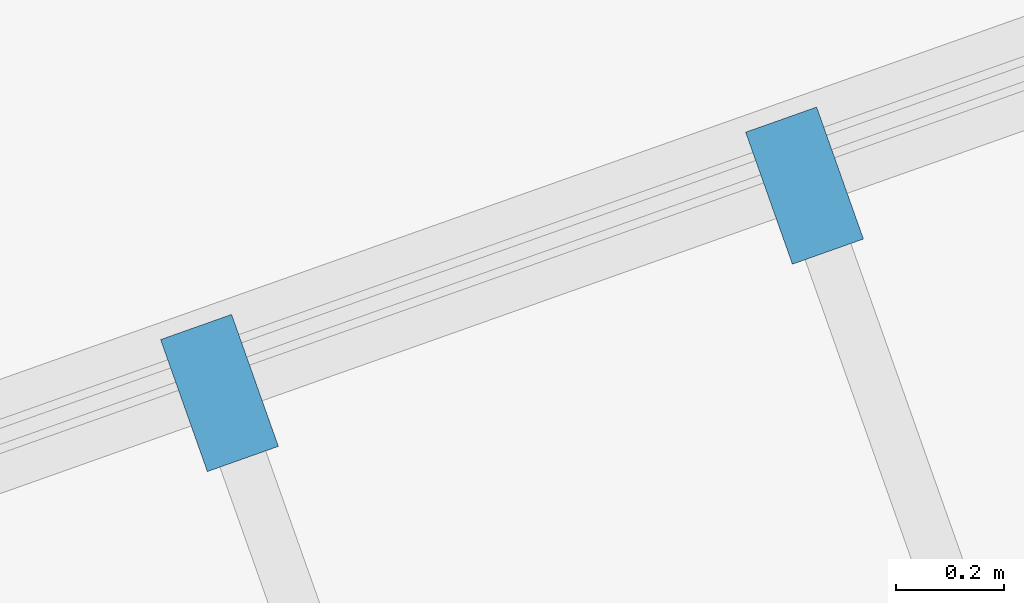
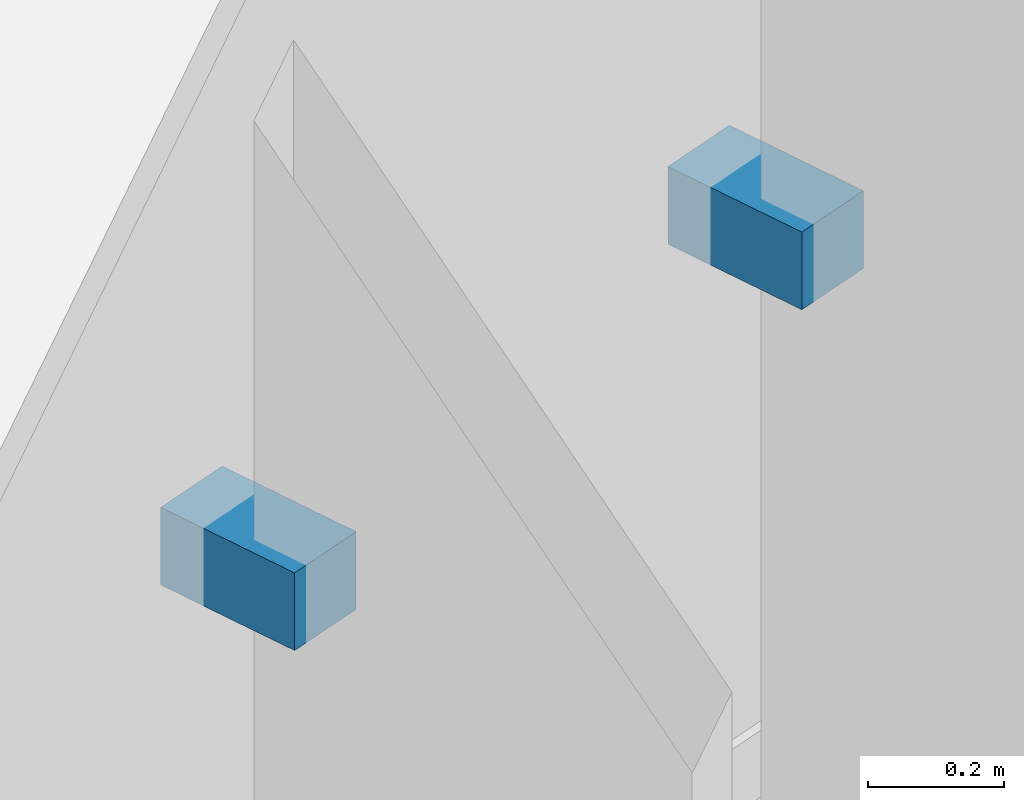
# One storey, part 73 of 83: 2 discrete accessories.
"""IFC4 building model written with IfcOpenShell, lengths in metres."""

import ifcopenshell
import ifcopenshell.guid

model = None  # the IFC model being written
_history = None  # IfcOwnerHistory: only IFC2X3 demands one
_inside = {}  # id of a spatial element -> (the spatial element, [elements in it])
_under = {}  # id of a project, library or spatial element -> (it, [spatial elements below it])
_declared = {}  # id of a project -> (the project, [libraries it declares])
_typed = {}  # id of a type object -> (the type object, [elements of that type])
_made_of = {}  # id of a material, layer set ... -> (it, [elements and type objects made of it])


def new_model(schema):
    """Start an empty IFC model of exactly this schema.

    Asked for "IFC4X3", IfcOpenShell would pick the latest addendum, in which some entities
    have other attributes; the version numbers below select the first issue.
    IFC2X3 requires an IfcOwnerHistory on every rooted entity: one is made here for all.
    """
    global model, _history
    if schema == "IFC4X3":
        model = ifcopenshell.file(schema_version=(4, 3, 0, 0))
    else:
        model = ifcopenshell.file(schema=schema)
    _inside.clear()
    _under.clear()
    _declared.clear()
    _typed.clear()
    _made_of.clear()
    _history = None
    if model.schema == "IFC2X3":
        org = make("IfcOrganization", Name="unknown")
        user = make(
            "IfcPersonAndOrganization",
            ThePerson=make("IfcPerson", FamilyName="unknown"),
            TheOrganization=org,
        )
        app = make(
            "IfcApplication",
            ApplicationDeveloper=org,
            Version="unknown",
            ApplicationFullName="unknown",
            ApplicationIdentifier="unknown",
        )
        _history = make(
            "IfcOwnerHistory",
            OwningUser=user,
            OwningApplication=app,
            ChangeAction="ADDED",
            CreationDate=0,
        )
    return model


def make(cls, **values):
    """One entity of the class cls with the attributes given. An attribute that is None is left unset."""
    return model.create_entity(
        cls, **{name: value for name, value in values.items() if value is not None}
    )


def rooted(cls, **values):
    """An entity with a GlobalId (a new one), such as an element, a storey or a relation."""
    return make(cls, GlobalId=ifcopenshell.guid.new(), OwnerHistory=_history, **values)


def si_unit(unit_type, name, prefix=None):
    """IfcSIUnit, for example si_unit("LENGTHUNIT", "METRE", prefix="MILLI")."""
    return make("IfcSIUnit", UnitType=unit_type, Prefix=prefix, Name=name)


def assignment(units):
    """IfcUnitAssignment: the units of a project."""
    return None if units is None else make("IfcUnitAssignment", Units=units)


def point(xyz):
    """IfcCartesianPoint."""
    return None if xyz is None else make("IfcCartesianPoint", Coordinates=xyz)


def direction(xyz):
    """IfcDirection."""
    return None if xyz is None else make("IfcDirection", DirectionRatios=xyz)


def frame(location, z_axis=None, x_axis=None):
    """IfcAxis2Placement3D, a coordinate frame: its origin and axes. An axis left out is left unset."""
    return make(
        "IfcAxis2Placement3D",
        Location=point(location),
        Axis=direction(z_axis),
        RefDirection=direction(x_axis),
    )


def frame_2d(location, x_axis=None):
    """IfcAxis2Placement2D, a coordinate frame in the plane: its origin and x axis."""
    return make(
        "IfcAxis2Placement2D", Location=point(location), RefDirection=direction(x_axis)
    )


def origin():
    """The frame at (0, 0, 0) with its axes left unset."""
    return frame((0.0, 0.0, 0.0))


def origin_2d():
    """The frame at (0, 0) in the plane with its x axis left unset."""
    return frame_2d((0.0, 0.0))


def place(relative_to, where):
    """IfcLocalPlacement: puts the frame where relative to a parent placement (None: the world)."""
    return make(
        "IfcLocalPlacement", PlacementRelTo=relative_to, RelativePlacement=where
    )


def context(
    kind, dimensions, precision=None, world=None, true_north=None, identifier=None
):
    """IfcGeometricRepresentationContext, for example the 3D "Model" context."""
    return make(
        "IfcGeometricRepresentationContext",
        ContextIdentifier=identifier,
        ContextType=kind,
        CoordinateSpaceDimension=dimensions,
        Precision=precision,
        WorldCoordinateSystem=world,
        TrueNorth=true_north,
    )


def subcontext(parent, identifier, kind, view, scale=None):
    """IfcGeometricRepresentationSubContext, for example "Body" below "Model"."""
    return make(
        "IfcGeometricRepresentationSubContext",
        ContextIdentifier=identifier,
        ContextType=kind,
        ParentContext=parent,
        TargetScale=scale,
        TargetView=view,
    )


def project(units=None, contexts=None):
    """IfcProject with its units and contexts."""
    return rooted(
        "IfcProject",
        Name="project",
        RepresentationContexts=contexts,
        UnitsInContext=assignment(units),
    )


def spatial(cls, under=None, at=None, **own):
    """A site, building, storey or space (cls), placed at a placement, below another one or the project."""
    s = rooted(cls, ObjectPlacement=at, **own)
    if under is not None:
        _under.setdefault(under.id(), (under, []))[1].append(s)
    return s


def profile(cls, at=None, kind="AREA", **sizes):
    """A parametric profile (cls). Its sizes go by their IFC names, for example OverallWidth=200.0."""
    return make(cls, ProfileType=kind, Position=at, **sizes)


def rectangle(**sizes):
    """IfcRectangleProfileDef."""
    return profile("IfcRectangleProfileDef", **sizes)


def extrude(swept, where, along, depth):
    """IfcExtrudedAreaSolid: the profile swept, set in the frame where, extruded along a direction by depth."""
    return make(
        "IfcExtrudedAreaSolid",
        SweptArea=swept,
        Position=where,
        ExtrudedDirection=direction(along),
        Depth=depth,
    )


def shape(context_of_items, identifier, shape_type, items):
    """IfcShapeRepresentation: the items that make up one representation, for example the "Body"."""
    return make(
        "IfcShapeRepresentation",
        ContextOfItems=context_of_items,
        RepresentationIdentifier=identifier,
        RepresentationType=shape_type,
        Items=items,
    )


def material(Name=None, Category=None):
    """IfcMaterial."""
    return make("IfcMaterial", Name=Name, Category=Category)


def made_of(thing, what):
    """Note that an element or type object is made of a material, layer set ...; save() writes the relation."""
    if what is not None:
        _made_of.setdefault(what.id(), (what, []))[1].append(thing)
    return thing


def type_object(cls, material=None, **own):
    """A type object (cls), such as IfcWallType, which elements share."""
    return made_of(rooted(cls, **own), material)


def element(
    cls,
    number,
    at=None,
    inside=None,
    cuts=None,
    type_object=None,
    material=None,
    context=None,
    identifier="Body",
    shape_type=None,
    held_by="IfcProductDefinitionShape",
    body=None,
    shapes=None,
    **own,
):
    """One element of the class cls, such as IfcWall. Its Tag is "e" and its number.

    at: its placement. inside: the storey or other place that contains it. cuts: it is an
    opening in that element (IfcRelVoidsElement). A single representation is given by context,
    identifier, shape_type and body (its items); several are given by shapes. held_by: the class
    of the entity that holds the representations. save() writes the other relations.
    """
    e = rooted(cls, Tag="e%d" % number, ObjectPlacement=at, **own)
    if body is not None:
        shapes = [shape(context, identifier, shape_type, body)]
    if shapes is not None:
        e.Representation = make(held_by, Representations=shapes)
    if inside is not None:
        _inside.setdefault(inside.id(), (inside, []))[1].append(e)
    if cuts is not None:
        rooted(
            "IfcRelVoidsElement", RelatingBuildingElement=cuts, RelatedOpeningElement=e
        )
    if type_object is not None:
        _typed.setdefault(type_object.id(), (type_object, []))[1].append(e)
    return made_of(e, material)


def aggregate(whole, parts):
    """IfcRelAggregates: a whole, such as a stair, and the parts it consists of."""
    return rooted("IfcRelAggregates", RelatingObject=whole, RelatedObjects=parts)


def save(model, path):
    """Write the relations noted so far, then the file.

    IfcRelAggregates (storeys below a building ...), IfcRelContainedInSpatialStructure (elements
    in a storey), IfcRelDefinesByType, IfcRelAssociatesMaterial and IfcRelDeclares: one each for
    every whole, place, type object, material and project.
    """
    for whole, parts in _under.values():
        aggregate(whole, parts)
    for where, things in _inside.values():
        rooted(
            "IfcRelContainedInSpatialStructure",
            RelatedElements=things,
            RelatingStructure=where,
        )
    for kind, things in _typed.values():
        rooted("IfcRelDefinesByType", RelatedObjects=things, RelatingType=kind)
    for what, things in _made_of.values():
        rooted("IfcRelAssociatesMaterial", RelatedObjects=things, RelatingMaterial=what)
    for by, libraries in _declared.values():
        rooted("IfcRelDeclares", RelatingContext=by, RelatedDefinitions=libraries)
    model.write(path)


model = new_model("IFC4")

# Units and contexts
model_context = context("Model", 3, precision=1e-05, world=origin(), true_north=direction((0.0, 1.0)))
body_context = subcontext(model_context, "Body", "Model", "MODEL_VIEW")
ifc_project = project(units=[si_unit("LENGTHUNIT", "METRE"), si_unit("AREAUNIT", "SQUARE_METRE"), si_unit("VOLUMEUNIT", "CUBIC_METRE"), si_unit("PLANEANGLEUNIT", "RADIAN"), si_unit("MASSUNIT", "GRAM", prefix="KILO"), si_unit("THERMODYNAMICTEMPERATUREUNIT", "KELVIN"), si_unit("POWERUNIT", "WATT")], contexts=[model_context])

# Site, building, storey
site_placement = place(None, origin())
site = spatial("IfcSite", under=ifc_project, at=site_placement, CompositionType="ELEMENT")
building_placement = place(site_placement, origin())
building = spatial("IfcBuilding", under=site, at=building_placement, Name="Darbajah Civic Hall", CompositionType="ELEMENT")
storey_placement = place(building_placement, frame((0.0, 0.0, 18.0)))
storey = spatial("IfcBuildingStorey", under=building, at=storey_placement, Name="L04", CompositionType="ELEMENT", Elevation=18.0)

# Discrete accessories
ifc_material = material(Name="Stainless Steel S355JR", Category="steel")
discrete_accessory_type = type_object("IfcDiscreteAccessoryType", Name="Stainless Facade Support Bracket", PredefinedType="BRACKET", material=ifc_material)
for number, where, z_axis, x_axis, name in (
    (1, (110.551025390625, 63.16748046875, 1.89013671875), (0.0, 0.0, 1.0), (0.334135882844, -0.94252491309, 0.0), "L04 shading fin bracket 16-2"),
    (2, (111.63720703125, 63.552490234375, 1.89013671875), (0.0, 0.0, 1.0), (0.334135882844, -0.94252491309, 0.0), "L04 shading fin bracket 16-3"),
):
    element("IfcDiscreteAccessory", number, at=place(storey_placement, frame(where, z_axis=z_axis, x_axis=x_axis)), inside=storey, type_object=discrete_accessory_type, Name=name, PredefinedType="BRACKET", context=body_context, shape_type="SweptSolid", body=[
        extrude(rectangle(XDim=0.260009765625, YDim=0.139892578125, at=origin_2d()), origin(), (0.0, 0.0, 1.0), 0.139892578125),
    ])

save(model, "model.ifc")
